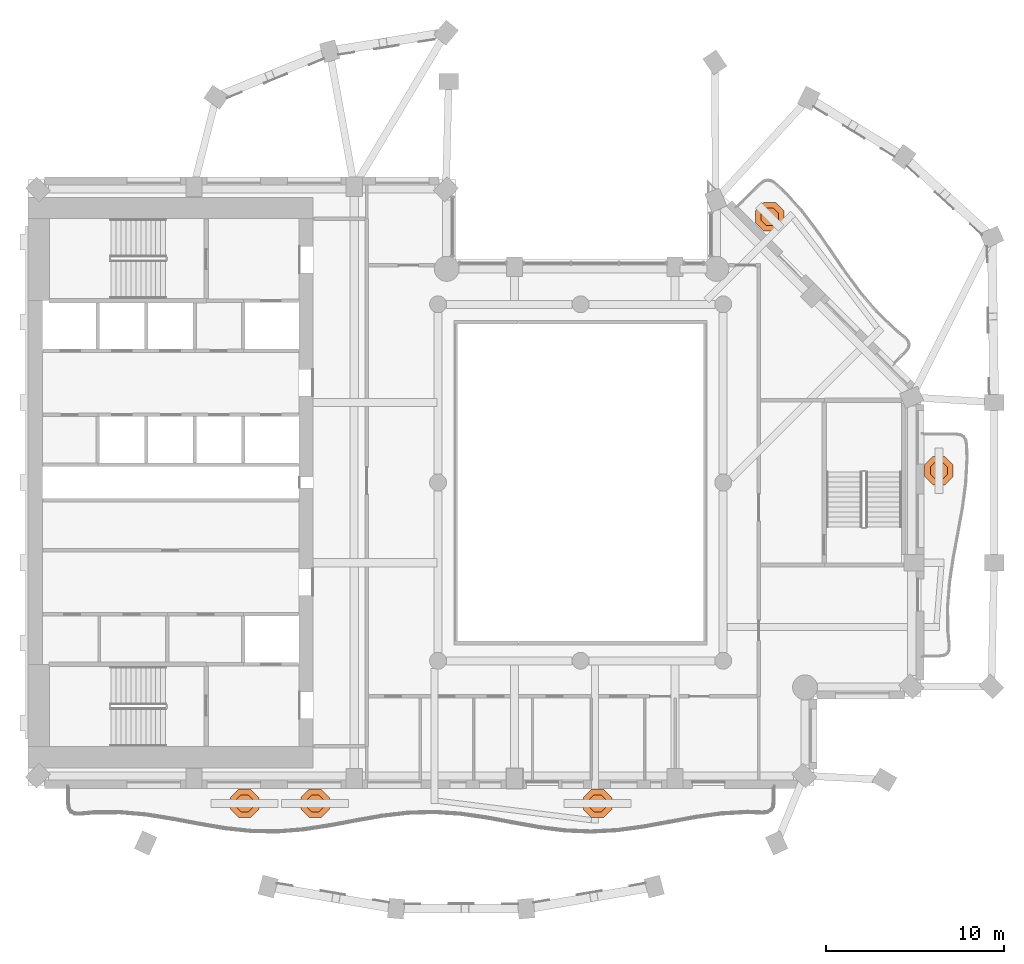
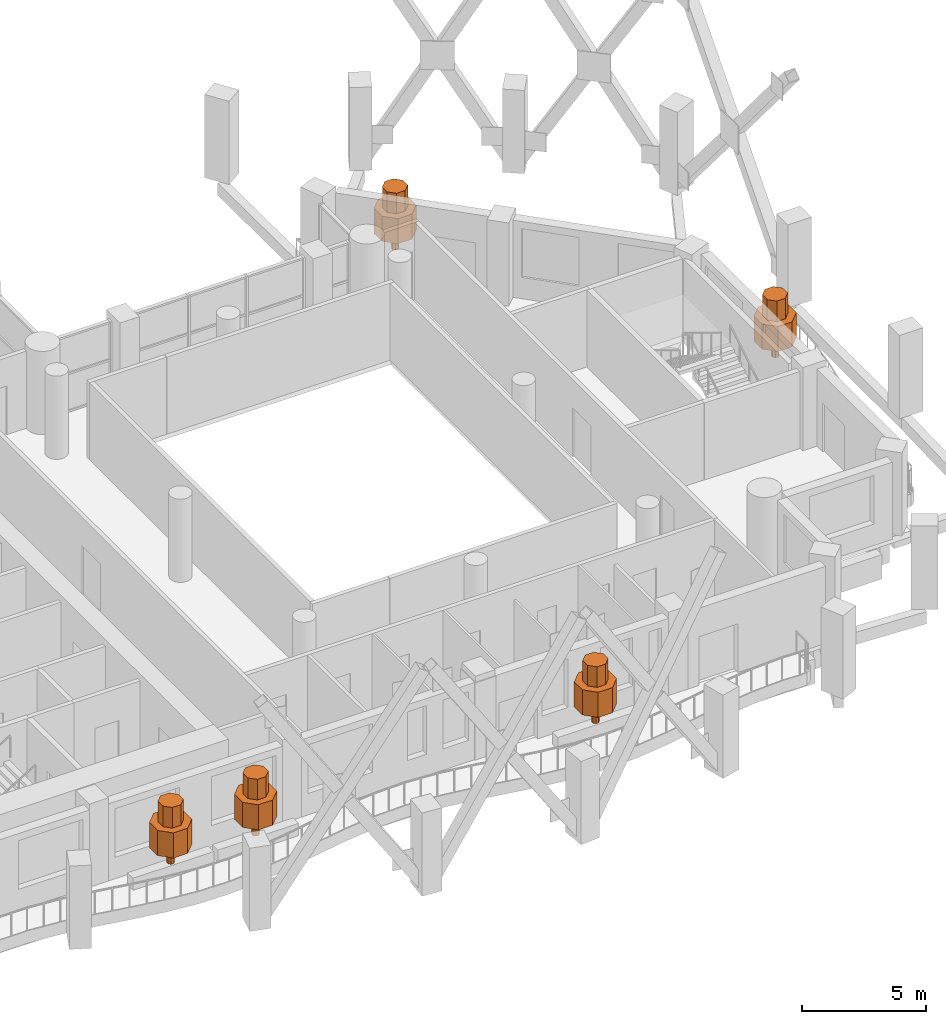
# One storey, part 16 of 16: 5 geographic elements.
"""IFC4 building model written with IfcOpenShell, lengths in metres."""

from ifc_helpers import new_model, si_unit, direction, frame, origin, place, context, subcontext, project, spatial, polyline, outline, extrude, material, type_object, element, save


model = new_model("IFC4")

# Units and contexts
model_context = context("Model", 3, precision=1e-05, world=origin(), true_north=direction((0.0, 1.0)))
body_context = subcontext(model_context, "Body", "Model", "MODEL_VIEW")
ifc_project = project(units=[si_unit("LENGTHUNIT", "METRE"), si_unit("AREAUNIT", "SQUARE_METRE"), si_unit("VOLUMEUNIT", "CUBIC_METRE"), si_unit("PLANEANGLEUNIT", "RADIAN"), si_unit("MASSUNIT", "GRAM", prefix="KILO")], contexts=[model_context])

# Site, building, storey
site_placement = place(None, origin())
site = spatial("IfcSite", under=ifc_project, at=site_placement, CompositionType="ELEMENT")
building_placement = place(site_placement, origin())
building = spatial("IfcBuilding", under=site, at=building_placement, Name="Cypress Arch Tower", CompositionType="ELEMENT")
storey_placement = place(building_placement, frame((0.0, 0.0, 181.0)))
storey = spatial("IfcBuildingStorey", under=building, at=storey_placement, Name="L39", CompositionType="ELEMENT", Elevation=181.0)

# Geographic elements
ifc_material = material(Name="Foliage and planting")
geographic_element_type = type_object("IfcGeographicElementType", Name="Balcony tree TR", PredefinedType="USERDEFINED", material=ifc_material)
for number, where, z_axis, x_axis, name in (
    (1, (-17.85009765625, -18.0, 0.60009765625), (0.0, 0.0, 1.0), (1.0, 0.0, 0.0), "Balcony tree L39-B01.1"),
    (2, (-13.889892578125, -18.0, 0.60009765625), (0.0, 0.0, 1.0), (1.0, 0.0, 0.0), "Balcony tree L39-B01.2"),
    (3, (1.949951171875, -18.0, 0.60009765625), (0.0, 0.0, 1.0), (1.0, 0.0, 0.0), "Balcony tree L39-B01.3"),
    (4, (21.10009765625, 0.666748046875, 0.60009765625), (0.0, 0.0, 1.0), (1.0, 0.0, 0.0), "Balcony tree L39-B04.1"),
    (5, (11.607177734375, 14.906982421875, 0.60009765625), (0.0, 0.0, 1.0), (1.0, 0.0, 0.0), "Balcony tree L39-B05.1"),
):
    element("IfcGeographicElement", number, at=place(storey_placement, frame(where, z_axis=z_axis, x_axis=x_axis)), inside=storey, type_object=geographic_element_type, Name=name, ObjectType="TREE", PredefinedType="USERDEFINED", context=body_context, shape_type="SweptSolid", body=[
        extrude(outline(polyline([(0.14990234375, 0.06201171875), (0.06201171875, 0.14990234375), (-0.06201171875, 0.14990234375), (-0.14990234375, 0.06201171875), (-0.14990234375, -0.06201171875), (-0.06201171875, -0.14990234375), (0.06201171875, -0.14990234375), (0.14990234375, -0.06201171875), (0.14990234375, 0.06201171875)])), origin(), (0.0, 0.0, 1.0), 0.89990234375),
        extrude(outline(polyline([(0.800048828125, 0.331298828125), (0.331298828125, 0.800048828125), (-0.331298828125, 0.800048828125), (-0.800048828125, 0.331298828125), (-0.800048828125, -0.331298828125), (-0.331298828125, -0.800048828125), (0.331298828125, -0.800048828125), (0.800048828125, -0.331298828125), (0.800048828125, 0.331298828125)])), frame((0.0, 0.0, 0.800048828125)), (0.0, 0.0, 1.0), 1.237548828125),
        extrude(outline(polyline([(0.47998046875, 0.19873046875), (0.19873046875, 0.47998046875), (-0.19873046875, 0.47998046875), (-0.47998046875, 0.19873046875), (-0.47998046875, -0.19873046875), (-0.19873046875, -0.47998046875), (0.19873046875, -0.47998046875), (0.47998046875, -0.19873046875), (0.47998046875, 0.19873046875)])), frame((0.0, 0.0, 2.03759765625)), (0.0, 0.0, 1.0), 1.012451171875),
    ])

save(model, "model.ifc")
